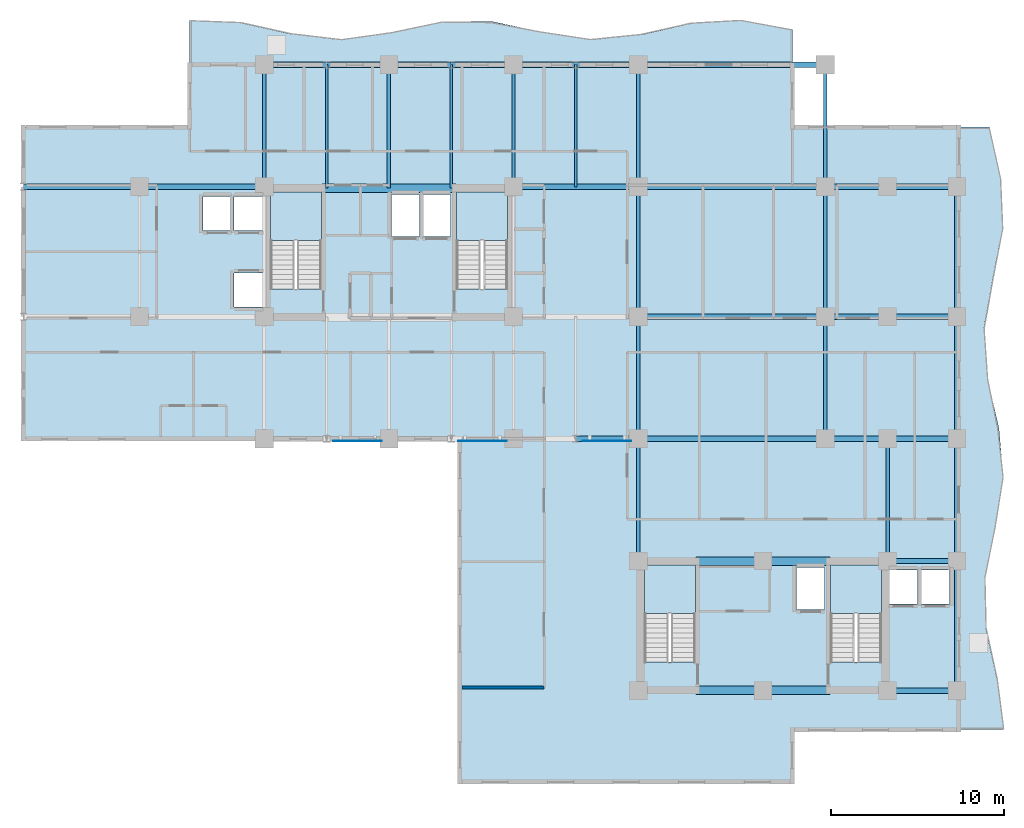
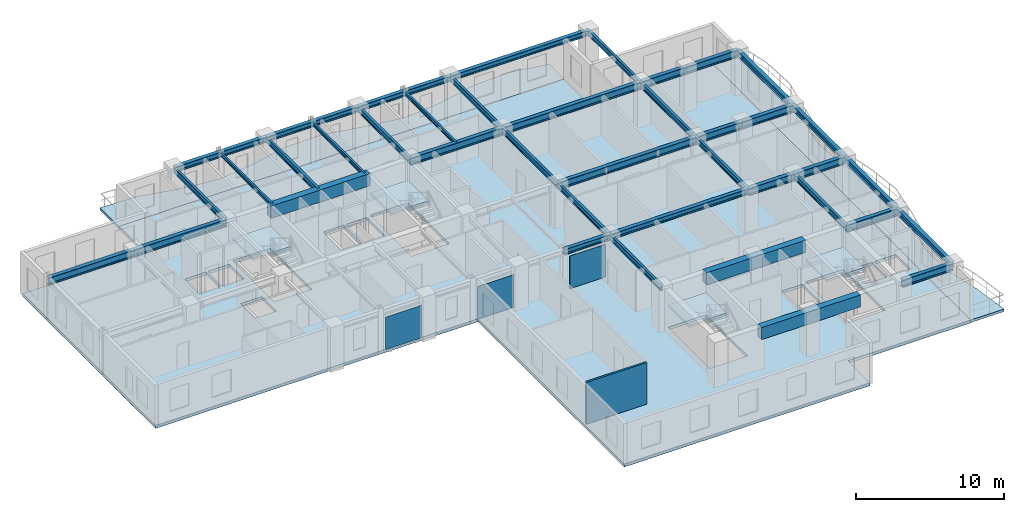
# One storey, part 3 of 13: 43 beams, 7 slabs, 3 plates, 1 wall, 4 elements without a shape of their own.
"""IFC4 building model written with IfcOpenShell, lengths in metres."""

from ifc_helpers import new_model, si_unit, direction, frame, frame_2d, origin, origin_2d, place, context, subcontext, project, spatial, polyline, rectangle, i_section, outline, extrude, source, transform, mapped, material, layer, layer_set, material_profile, profile_set, type_object, element, aggregate, save


model = new_model("IFC4")

# Units and contexts
model_context = context("Model", 3, precision=1e-05, world=origin(), true_north=direction((0.0, 1.0)))
body_context = subcontext(model_context, "Body", "Model", "MODEL_VIEW")
ifc_project = project(units=[si_unit("LENGTHUNIT", "METRE"), si_unit("AREAUNIT", "SQUARE_METRE"), si_unit("VOLUMEUNIT", "CUBIC_METRE"), si_unit("PLANEANGLEUNIT", "RADIAN"), si_unit("MASSUNIT", "GRAM", prefix="KILO")], contexts=[model_context])

# Site, building, storey
site_placement = place(None, origin())
site = spatial("IfcSite", under=ifc_project, at=site_placement, CompositionType="ELEMENT")
building_placement = place(site_placement, origin())
building = spatial("IfcBuilding", under=site, at=building_placement, Name="Kaliganga Portal Commons", CompositionType="ELEMENT")
storey_placement = place(building_placement, frame((0.0, 0.0, 173.5)))
storey = spatial("IfcBuildingStorey", under=building, at=storey_placement, Name="L44", CompositionType="ELEMENT", Elevation=173.5)

# Beams
ifc_material_1 = material(Name="Concrete C50/60", Category="concrete")
ifc_material_profile_1 = material_profile(ifc_material_1, rectangle(XDim=0.5, YDim=1.0, at=origin_2d()), Name="RC 500x1000")
ifc_profile_set_1 = profile_set([ifc_material_profile_1], Name="Concrete C50/60")
beam_type_1 = type_object("IfcBeamType", Name="BM-CPL-1000", PredefinedType="LINTEL", material=ifc_profile_set_1)
shared_shape_1 = source(origin(), body_context, "Body", "SweptSolid", [
    extrude(rectangle(XDim=0.5, YDim=1.0, at=origin_2d()), origin(), (0.0, 0.0, 1.0), 7.739990234375),
])
for number, where, z_axis, x_axis, name in (
    (1, (17.72998046875, 36.074951171875, 2.9599609375), (1.0, 0.0, 0.0), (0.0, 1.0, 0.0), "BM CPL COREA L44 N"),
    (2, (39.330078125, 7.074951171875, 2.9599609375), (1.0, 0.0, 0.0), (0.0, 1.0, 0.0), "BM CPL COREB L44 S"),
    (3, (39.330078125, 14.52490234375, 2.9599609375), (1.0, 0.0, 0.0), (0.0, 1.0, 0.0), "BM CPL COREB L44 N"),
):
    element("IfcBeam", number, at=place(storey_placement, frame(where, z_axis=z_axis, x_axis=x_axis)), inside=storey, type_object=beam_type_1, Name=name, PredefinedType="LINTEL", context=body_context, shape_type="MappedRepresentation", body=[
        mapped(shared_shape_1, transform((0.0, 0.0, 0.0), x_axis=(1.0, 0.0, 0.0), y_axis=(0.0, 1.0, 0.0), z_axis=(0.0, 0.0, 1.0), scale=1.0)),
    ])
ifc_material_2 = material(Name="Structural steel S355J2", Category="steel")
ifc_material_profile_2 = material_profile(ifc_material_2, i_section(OverallWidth=0.300048828125, OverallDepth=0.449951171875, WebThickness=0.013916015625, FlangeThickness=0.02587890625, FilletRadius=0.027099609375, at=origin_2d()), Name="HE 450 B")
ifc_profile_set_2 = profile_set([ifc_material_profile_2], Name="Structural steel S355J2 wide-flange")
beam_type_2 = type_object("IfcBeamType", Name="BM-SPAND-450", PredefinedType="SPANDREL", material=ifc_profile_set_2)
shared_shape_2 = source(origin(), body_context, "Body", "SweptSolid", [
    extrude(i_section(OverallWidth=0.300048828125, OverallDepth=0.449951171875, WebThickness=0.013916015625, FlangeThickness=0.02587890625, FilletRadius=0.027099609375, at=origin_2d()), origin(), (0.0, 0.0, 1.0), 3.60009765625),
])
for number, where, z_axis, x_axis, name in (
    (4, (14.39990234375, 43.199951171875, 3.235107421875), (1.0, 0.0, 0.0), (0.0, 1.0, 0.0), "BM SP L44 AN 1"),
    (5, (18.0, 43.199951171875, 3.235107421875), (1.0, 0.0, 0.0), (0.0, 1.0, 0.0), "BM SP L44 AN 2"),
    (6, (25.199951171875, 43.199951171875, 3.235107421875), (1.0, 0.0, 0.0), (0.0, 1.0, 0.0), "BM SP L44 AN 4"),
    (7, (32.39990234375, 43.199951171875, 3.235107421875), (1.0, 0.0, 0.0), (0.0, 1.0, 0.0), "BM SP L44 AN 6"),
    (8, (32.39990234375, 21.60009765625, 3.235107421875), (1.0, 0.0, 0.0), (0.0, 1.0, 0.0), "BM SP L44 AS 6"),
):
    element("IfcBeam", number, at=place(storey_placement, frame(where, z_axis=z_axis, x_axis=x_axis)), inside=storey, type_object=beam_type_2, Name=name, PredefinedType="SPANDREL", context=body_context, shape_type="MappedRepresentation", body=[
        mapped(shared_shape_2, transform((0.0, 0.0, 0.0), x_axis=(1.0, 0.0, 0.0), y_axis=(0.0, 1.0, 0.0), z_axis=(0.0, 0.0, 1.0), scale=1.0)),
    ])
shared_shape_3 = source(origin(), body_context, "Body", "SweptSolid", [
    extrude(i_section(OverallWidth=0.300048828125, OverallDepth=0.449951171875, WebThickness=0.013916015625, FlangeThickness=0.02587890625, FilletRadius=0.027099609375, at=origin_2d()), origin(), (0.0, 0.0, 1.0), 3.599853515625),
])
for number, where, z_axis, x_axis, name in (
    (9, (21.60009765625, 43.199951171875, 3.235107421875), (1.0, 0.0, 0.0), (0.0, 1.0, 0.0), "BM SP L44 AN 3"),
    (10, (28.800048828125, 43.199951171875, 3.235107421875), (1.0, 0.0, 0.0), (0.0, 1.0, 0.0), "BM SP L44 AN 5"),
):
    element("IfcBeam", number, at=place(storey_placement, frame(where, z_axis=z_axis, x_axis=x_axis)), inside=storey, type_object=beam_type_2, Name=name, PredefinedType="SPANDREL", context=body_context, shape_type="MappedRepresentation", body=[
        mapped(shared_shape_3, transform((0.0, 0.0, 0.0), x_axis=(1.0, 0.0, 0.0), y_axis=(0.0, 1.0, 0.0), z_axis=(0.0, 0.0, 1.0), scale=1.0)),
    ])
shared_shape_4 = source(origin(), body_context, "Body", "SweptSolid", [
    extrude(i_section(OverallWidth=0.300048828125, OverallDepth=0.449951171875, WebThickness=0.013916015625, FlangeThickness=0.02587890625, FilletRadius=0.027099609375, at=origin_2d()), origin(), (0.0, 0.0, 1.0), 10.800048828125),
])
for number, where, z_axis, x_axis, name in (
    (11, (36.0, 43.199951171875, 3.235107421875), (1.0, 0.0, 0.0), (0.0, 1.0, 0.0), "BM SP L44 AN 7"),
    (12, (36.0, 21.60009765625, 3.235107421875), (1.0, 0.0, 0.0), (0.0, 1.0, 0.0), "BM SP L44 AS 7"),
):
    element("IfcBeam", number, at=place(storey_placement, frame(where, z_axis=z_axis, x_axis=x_axis)), inside=storey, type_object=beam_type_2, Name=name, PredefinedType="SPANDREL", context=body_context, shape_type="MappedRepresentation", body=[
        mapped(shared_shape_4, transform((0.0, 0.0, 0.0), x_axis=(1.0, 0.0, 0.0), y_axis=(0.0, 1.0, 0.0), z_axis=(0.0, 0.0, 1.0), scale=1.0)),
    ])
shared_shape_5 = source(origin(), body_context, "Body", "SweptSolid", [
    extrude(i_section(OverallWidth=0.300048828125, OverallDepth=0.449951171875, WebThickness=0.013916015625, FlangeThickness=0.02587890625, FilletRadius=0.027099609375, at=origin_2d()), origin(), (0.0, 0.0, 1.0), 7.5),
])
for number, where, z_axis, x_axis, name in (
    (13, (54.39990234375, 7.050048828125, 3.235107421875), (0.0, 1.0, 0.0), (-1.0, 0.0, 0.0), "BM SP L44 BE 1"),
    (14, (54.39990234375, 28.64990234375, 3.235107421875), (0.0, 1.0, 0.0), (-1.0, 0.0, 0.0), "BM SP L44 BE 4"),
):
    element("IfcBeam", number, at=place(storey_placement, frame(where, z_axis=z_axis, x_axis=x_axis)), inside=storey, type_object=beam_type_2, Name=name, PredefinedType="SPANDREL", context=body_context, shape_type="MappedRepresentation", body=[
        mapped(shared_shape_5, transform((0.0, 0.0, 0.0), x_axis=(1.0, 0.0, 0.0), y_axis=(0.0, 1.0, 0.0), z_axis=(0.0, 0.0, 1.0), scale=1.0)),
    ])
shared_shape_6 = source(origin(), body_context, "Body", "SweptSolid", [
    extrude(i_section(OverallWidth=0.300048828125, OverallDepth=0.449951171875, WebThickness=0.013916015625, FlangeThickness=0.02587890625, FilletRadius=0.027099609375, at=origin_2d()), origin(), (0.0, 0.0, 1.0), 7.050048828125),
])
beam_1_placement = place(storey_placement, frame((54.39990234375, 14.550048828125, 3.235107421875), z_axis=(0.0, 1.0, 0.0), x_axis=(-1.0, 0.0, 0.0)))
element("IfcBeam", 15, at=beam_1_placement, inside=storey, type_object=beam_type_2, Name="BM SP L44 BE 2", PredefinedType="SPANDREL", context=body_context, shape_type="MappedRepresentation", body=[
    mapped(shared_shape_6, transform((0.0, 0.0, 0.0), x_axis=(1.0, 0.0, 0.0), y_axis=(0.0, 1.0, 0.0), z_axis=(0.0, 0.0, 1.0), scale=1.0)),
])
shared_shape_7 = source(origin(), body_context, "Body", "SweptSolid", [
    extrude(i_section(OverallWidth=0.300048828125, OverallDepth=0.449951171875, WebThickness=0.013916015625, FlangeThickness=0.02587890625, FilletRadius=0.027099609375, at=origin_2d()), origin(), (0.0, 0.0, 1.0), 7.0498046875),
])
beam_2_placement = place(storey_placement, frame((54.39990234375, 21.60009765625, 3.235107421875), z_axis=(0.0, 1.0, 0.0), x_axis=(-1.0, 0.0, 0.0)))
element("IfcBeam", 16, at=beam_2_placement, inside=storey, type_object=beam_type_2, Name="BM SP L44 BE 3", PredefinedType="SPANDREL", context=body_context, shape_type="MappedRepresentation", body=[
    mapped(shared_shape_7, transform((0.0, 0.0, 0.0), x_axis=(1.0, 0.0, 0.0), y_axis=(0.0, 1.0, 0.0), z_axis=(0.0, 0.0, 1.0), scale=1.0)),
])
ifc_material_profile_3 = material_profile(ifc_material_2, i_section(OverallWidth=0.300048828125, OverallDepth=0.60009765625, WebThickness=0.015380859375, FlangeThickness=0.030029296875, FilletRadius=0.027099609375, at=origin_2d()), Name="HE 600 B")
ifc_profile_set_3 = profile_set([ifc_material_profile_3], Name="Structural steel S355J2 wide-flange")
beam_type_3 = type_object("IfcBeamType", Name="BM-GIRD-600", PredefinedType="USERDEFINED", material=ifc_profile_set_3)
shared_shape_8 = source(origin(), body_context, "Body", "SweptSolid", [
    extrude(i_section(OverallWidth=0.300048828125, OverallDepth=0.60009765625, WebThickness=0.015380859375, FlangeThickness=0.030029296875, FilletRadius=0.027099609375, at=origin_2d()), origin(), (0.0, 0.0, 1.0), 6.699951171875),
])
beam_3_placement = place(storey_placement, frame((0.5, 36.14990234375, 3.159912109375), z_axis=(1.0, 0.0, 0.0), x_axis=(0.0, 1.0, 0.0)))
element("IfcBeam", 17, at=beam_3_placement, inside=storey, type_object=beam_type_3, Name="BM G L44 WAH_N 1", ObjectType="GIRDER", PredefinedType="USERDEFINED", context=body_context, shape_type="MappedRepresentation", body=[
    mapped(shared_shape_8, transform((0.0, 0.0, 0.0), x_axis=(1.0, 0.0, 0.0), y_axis=(0.0, 1.0, 0.0), z_axis=(0.0, 0.0, 1.0), scale=1.0)),
])
shared_shape_9 = source(origin(), body_context, "Body", "SweptSolid", [
    extrude(i_section(OverallWidth=0.300048828125, OverallDepth=0.60009765625, WebThickness=0.015380859375, FlangeThickness=0.030029296875, FilletRadius=0.027099609375, at=origin_2d()), origin(), (0.0, 0.0, 1.0), 7.199951171875),
])
for number, where, z_axis, x_axis, name in (
    (18, (7.199951171875, 36.14990234375, 3.159912109375), (1.0, 0.0, 0.0), (0.0, 1.0, 0.0), "BM G L44 WAH_N 2"),
    (19, (28.800048828125, 36.14990234375, 3.159912109375), (1.0, 0.0, 0.0), (0.0, 1.0, 0.0), "BM G L44 WAE_N 1"),
):
    element("IfcBeam", number, at=place(storey_placement, frame(where, z_axis=z_axis, x_axis=x_axis)), inside=storey, type_object=beam_type_3, Name=name, ObjectType="GIRDER", PredefinedType="USERDEFINED", context=body_context, shape_type="MappedRepresentation", body=[
        mapped(shared_shape_9, transform((0.0, 0.0, 0.0), x_axis=(1.0, 0.0, 0.0), y_axis=(0.0, 1.0, 0.0), z_axis=(0.0, 0.0, 1.0), scale=1.0)),
    ])
shared_shape_10 = source(origin(), body_context, "Body", "SweptSolid", [
    extrude(i_section(OverallWidth=0.300048828125, OverallDepth=0.60009765625, WebThickness=0.015380859375, FlangeThickness=0.030029296875, FilletRadius=0.027099609375, at=origin_2d()), origin(), (0.0, 0.0, 1.0), 10.800048828125),
])
for number, where, z_axis, x_axis, name in (
    (20, (36.0, 28.64990234375, 3.159912109375), (1.0, 0.0, 0.0), (0.0, 1.0, 0.0), "BM G L44 WAE_S 2"),
    (21, (36.0, 36.14990234375, 3.159912109375), (1.0, 0.0, 0.0), (0.0, 1.0, 0.0), "BM G L44 WAE_N 2"),
):
    element("IfcBeam", number, at=place(storey_placement, frame(where, z_axis=z_axis, x_axis=x_axis)), inside=storey, type_object=beam_type_3, Name=name, ObjectType="GIRDER", PredefinedType="USERDEFINED", context=body_context, shape_type="MappedRepresentation", body=[
        mapped(shared_shape_10, transform((0.0, 0.0, 0.0), x_axis=(1.0, 0.0, 0.0), y_axis=(0.0, 1.0, 0.0), z_axis=(0.0, 0.0, 1.0), scale=1.0)),
    ])
shared_shape_11 = source(origin(), body_context, "Body", "SweptSolid", [
    extrude(i_section(OverallWidth=0.300048828125, OverallDepth=0.60009765625, WebThickness=0.015380859375, FlangeThickness=0.030029296875, FilletRadius=0.027099609375, at=origin_2d()), origin(), (0.0, 0.0, 1.0), 4.0),
])
for number, where, z_axis, x_axis, name in (
    (22, (50.39990234375, 7.050048828125, 3.159912109375), (1.0, 0.0, 0.0), (0.0, 1.0, 0.0), "BM G L44 BKE70 1"),
    (23, (50.39990234375, 14.550048828125, 3.159912109375), (1.0, 0.0, 0.0), (0.0, 1.0, 0.0), "BM G L44 BKE146 1"),
    (24, (50.39990234375, 21.60009765625, 3.159912109375), (1.0, 0.0, 0.0), (0.0, 1.0, 0.0), "BM G L44 BKE216 2"),
    (25, (50.39990234375, 28.64990234375, 3.159912109375), (1.0, 0.0, 0.0), (0.0, 1.0, 0.0), "BM G L44 BKE286 2"),
    (26, (50.39990234375, 36.14990234375, 3.159912109375), (1.0, 0.0, 0.0), (0.0, 1.0, 0.0), "BM G L44 BKE362 2"),
):
    element("IfcBeam", number, at=place(storey_placement, frame(where, z_axis=z_axis, x_axis=x_axis)), inside=storey, type_object=beam_type_3, Name=name, ObjectType="GIRDER", PredefinedType="USERDEFINED", context=body_context, shape_type="MappedRepresentation", body=[
        mapped(shared_shape_11, transform((0.0, 0.0, 0.0), x_axis=(1.0, 0.0, 0.0), y_axis=(0.0, 1.0, 0.0), z_axis=(0.0, 0.0, 1.0), scale=1.0)),
    ])
shared_shape_12 = source(origin(), body_context, "Body", "SweptSolid", [
    extrude(i_section(OverallWidth=0.300048828125, OverallDepth=0.60009765625, WebThickness=0.015380859375, FlangeThickness=0.030029296875, FilletRadius=0.027099609375, at=origin_2d()), origin(), (0.0, 0.0, 1.0), 3.599853515625),
])
for number, where, z_axis, x_axis, name in (
    (27, (46.800048828125, 21.60009765625, 3.159912109375), (1.0, 0.0, 0.0), (0.0, 1.0, 0.0), "BM G L44 BKE216 1"),
    (28, (46.800048828125, 28.64990234375, 3.159912109375), (1.0, 0.0, 0.0), (0.0, 1.0, 0.0), "BM G L44 BKE286 1"),
    (29, (46.800048828125, 36.14990234375, 3.159912109375), (1.0, 0.0, 0.0), (0.0, 1.0, 0.0), "BM G L44 BKE362 1"),
):
    element("IfcBeam", number, at=place(storey_placement, frame(where, z_axis=z_axis, x_axis=x_axis)), inside=storey, type_object=beam_type_3, Name=name, ObjectType="GIRDER", PredefinedType="USERDEFINED", context=body_context, shape_type="MappedRepresentation", body=[
        mapped(shared_shape_12, transform((0.0, 0.0, 0.0), x_axis=(1.0, 0.0, 0.0), y_axis=(0.0, 1.0, 0.0), z_axis=(0.0, 0.0, 1.0), scale=1.0)),
    ])
ifc_material_profile_4 = material_profile(ifc_material_2, i_section(OverallWidth=0.18994140625, OverallDepth=0.449951171875, WebThickness=0.009521484375, FlangeThickness=0.0146484375, FilletRadius=0.02099609375, at=origin_2d()), Name="IPE 450")
ifc_profile_set_4 = profile_set([ifc_material_profile_4], Name="Structural steel S355J2 wide-flange")
beam_type_4 = type_object("IfcBeamType", Name="BM-FLR-450", PredefinedType="BEAM", material=ifc_profile_set_4)
shared_shape_13 = source(origin(), body_context, "Body", "SweptSolid", [
    extrude(i_section(OverallWidth=0.18994140625, OverallDepth=0.449951171875, WebThickness=0.009521484375, FlangeThickness=0.0146484375, FilletRadius=0.02099609375, at=origin_2d()), origin(), (0.0, 0.0, 1.0), 7.5),
])
for number, where, z_axis, x_axis, name in (
    (30, (36.0, 28.64990234375, 3.235107421875), (0.0, 1.0, 0.0), (-1.0, 0.0, 0.0), "BM G L44 AM360"),
    (31, (46.800048828125, 28.64990234375, 3.235107421875), (0.0, 1.0, 0.0), (-1.0, 0.0, 0.0), "BM G L44 AM468"),
):
    element("IfcBeam", number, at=place(storey_placement, frame(where, z_axis=z_axis, x_axis=x_axis)), inside=storey, type_object=beam_type_4, Name=name, PredefinedType="BEAM", context=body_context, shape_type="MappedRepresentation", body=[
        mapped(shared_shape_13, transform((0.0, 0.0, 0.0), x_axis=(1.0, 0.0, 0.0), y_axis=(0.0, 1.0, 0.0), z_axis=(0.0, 0.0, 1.0), scale=1.0)),
    ])
shared_shape_14 = source(origin(), body_context, "Body", "SweptSolid", [
    extrude(i_section(OverallWidth=0.18994140625, OverallDepth=0.449951171875, WebThickness=0.009521484375, FlangeThickness=0.0146484375, FilletRadius=0.02099609375, at=origin_2d()), origin(), (0.0, 0.0, 1.0), 7.050048828125),
])
for number, where, z_axis, x_axis, name in (
    (32, (14.39990234375, 36.14990234375, 3.235107421875), (0.0, 1.0, 0.0), (-1.0, 0.0, 0.0), "BM G L44 AN144"),
    (33, (28.800048828125, 36.14990234375, 3.235107421875), (0.0, 1.0, 0.0), (-1.0, 0.0, 0.0), "BM G L44 AN288"),
    (34, (36.0, 36.14990234375, 3.235107421875), (0.0, 1.0, 0.0), (-1.0, 0.0, 0.0), "BM G L44 AN360"),
    (35, (46.800048828125, 36.14990234375, 3.235107421875), (0.0, 1.0, 0.0), (-1.0, 0.0, 0.0), "BM G L44 AN468"),
    (36, (36.0, 14.550048828125, 3.235107421875), (0.0, 1.0, 0.0), (-1.0, 0.0, 0.0), "BM G L44 BNK360"),
    (37, (50.39990234375, 14.550048828125, 3.235107421875), (0.0, 1.0, 0.0), (-1.0, 0.0, 0.0), "BM G L44 BNK504"),
):
    element("IfcBeam", number, at=place(storey_placement, frame(where, z_axis=z_axis, x_axis=x_axis)), inside=storey, type_object=beam_type_4, Name=name, PredefinedType="BEAM", context=body_context, shape_type="MappedRepresentation", body=[
        mapped(shared_shape_14, transform((0.0, 0.0, 0.0), x_axis=(1.0, 0.0, 0.0), y_axis=(0.0, 1.0, 0.0), z_axis=(0.0, 0.0, 1.0), scale=1.0)),
    ])
shared_shape_15 = source(origin(), body_context, "Body", "SweptSolid", [
    extrude(i_section(OverallWidth=0.18994140625, OverallDepth=0.449951171875, WebThickness=0.009521484375, FlangeThickness=0.0146484375, FilletRadius=0.02099609375, at=origin_2d()), origin(), (0.0, 0.0, 1.0), 7.0498046875),
])
for number, where, z_axis, x_axis, name in (
    (38, (36.0, 21.60009765625, 3.235107421875), (0.0, 1.0, 0.0), (-1.0, 0.0, 0.0), "BM G L44 AS360"),
    (39, (46.800048828125, 21.60009765625, 3.235107421875), (0.0, 1.0, 0.0), (-1.0, 0.0, 0.0), "BM G L44 AS468"),
):
    element("IfcBeam", number, at=place(storey_placement, frame(where, z_axis=z_axis, x_axis=x_axis)), inside=storey, type_object=beam_type_4, Name=name, PredefinedType="BEAM", context=body_context, shape_type="MappedRepresentation", body=[
        mapped(shared_shape_15, transform((0.0, 0.0, 0.0), x_axis=(1.0, 0.0, 0.0), y_axis=(0.0, 1.0, 0.0), z_axis=(0.0, 0.0, 1.0), scale=1.0)),
    ])
ifc_material_profile_5 = material_profile(ifc_material_2, i_section(OverallWidth=0.14990234375, OverallDepth=0.300048828125, WebThickness=0.007080078125, FlangeThickness=0.0107421875, FilletRadius=0.014892578125, at=origin_2d()), Name="IPE 300")
ifc_profile_set_5 = profile_set([ifc_material_profile_5], Name="Structural steel S355J2 wide-flange")
beam_type_5 = type_object("IfcBeamType", Name="BM-JST-300", PredefinedType="JOIST", material=ifc_profile_set_5)
shared_shape_16 = source(origin(), body_context, "Body", "SweptSolid", [
    extrude(i_section(OverallWidth=0.14990234375, OverallDepth=0.300048828125, WebThickness=0.007080078125, FlangeThickness=0.0107421875, FilletRadius=0.014892578125, at=origin_2d()), origin(), (0.0, 0.0, 1.0), 7.125),
])
for number, where, z_axis, x_axis, name in (
    (40, (18.0, 36.074951171875, 3.31005859375), (0.0, 1.0, 0.0), (-1.0, 0.0, 0.0), "BM G L44 AN180"),
    (41, (25.199951171875, 36.074951171875, 3.31005859375), (0.0, 1.0, 0.0), (-1.0, 0.0, 0.0), "BM G L44 AN252"),
):
    element("IfcBeam", number, at=place(storey_placement, frame(where, z_axis=z_axis, x_axis=x_axis)), inside=storey, type_object=beam_type_5, Name=name, PredefinedType="JOIST", context=body_context, shape_type="MappedRepresentation", body=[
        mapped(shared_shape_16, transform((0.0, 0.0, 0.0), x_axis=(1.0, 0.0, 0.0), y_axis=(0.0, 1.0, 0.0), z_axis=(0.0, 0.0, 1.0), scale=1.0)),
    ])
shared_shape_17 = source(origin(), body_context, "Body", "SweptSolid", [
    extrude(i_section(OverallWidth=0.18994140625, OverallDepth=0.449951171875, WebThickness=0.009521484375, FlangeThickness=0.0146484375, FilletRadius=0.02099609375, at=origin_2d()), origin(), (0.0, 0.0, 1.0), 7.125),
])
beam_4_placement = place(storey_placement, frame((21.60009765625, 36.074951171875, 3.235107421875), z_axis=(0.0, 1.0, 0.0), x_axis=(-1.0, 0.0, 0.0)))
element("IfcBeam", 42, at=beam_4_placement, inside=storey, type_object=beam_type_4, Name="BM G L44 AN216", PredefinedType="BEAM", context=body_context, shape_type="MappedRepresentation", body=[
    mapped(shared_shape_17, transform((0.0, 0.0, 0.0), x_axis=(1.0, 0.0, 0.0), y_axis=(0.0, 1.0, 0.0), z_axis=(0.0, 0.0, 1.0), scale=1.0)),
])
shared_shape_18 = source(origin(), body_context, "Body", "SweptSolid", [
    extrude(i_section(OverallWidth=0.14990234375, OverallDepth=0.300048828125, WebThickness=0.007080078125, FlangeThickness=0.0107421875, FilletRadius=0.014892578125, at=origin_2d()), origin(), (0.0, 0.0, 1.0), 7.050048828125),
])
beam_5_placement = place(storey_placement, frame((32.39990234375, 36.14990234375, 3.31005859375), z_axis=(0.0, 1.0, 0.0), x_axis=(-1.0, 0.0, 0.0)))
element("IfcBeam", 43, at=beam_5_placement, inside=storey, type_object=beam_type_5, Name="BM G L44 AN324", PredefinedType="JOIST", context=body_context, shape_type="MappedRepresentation", body=[
    mapped(shared_shape_18, transform((0.0, 0.0, 0.0), x_axis=(1.0, 0.0, 0.0), y_axis=(0.0, 1.0, 0.0), z_axis=(0.0, 0.0, 1.0), scale=1.0)),
])

# Slabs
ifc_material_3 = material(Name="Concrete C40/50", Category="concrete")
ifc_layer_1 = layer(ifc_material_3, 0.2099609375)
ifc_layer_set_1 = layer_set([ifc_layer_1], Name="Concrete C40/50")
slab_type_1 = type_object("IfcSlabType", Name="SLB-BALC-210", PredefinedType="FLOOR", material=ifc_layer_set_1)
slab_1_placement = place(storey_placement, frame((0.0, 0.0, -0.2099609375)))
element("IfcSlab", 44, at=slab_1_placement, inside=storey, type_object=slab_type_1, Name="Scalloped Tree-Planter Balcony Slab L44 balc_north", PredefinedType="FLOOR", context=body_context, shape_type="SweptSolid", body=[
    extrude(outline(polyline([(44.89990234375, 43.199951171875), (44.89990234375, 45.221435546875), (42.0, 45.763671875), (39.10009765625, 45.599609375), (36.199951171875, 44.942626953125), (33.300048828125, 44.649169921875), (30.39990234375, 45.101318359375), (27.5, 45.7099609375), (24.60009765625, 45.682373046875), (21.699951171875, 45.05419921875), (18.800048828125, 44.64404296875), (15.89990234375, 44.986083984375), (13.0, 45.634765625), (10.10009765625, 45.744873046875), (10.10009765625, 43.199951171875), (44.89990234375, 43.199951171875)])), origin(), (0.0, 0.0, 1.0), 0.2099609375),
])
slab_2_placement = place(storey_placement, frame((0.0, 0.0, -0.2099609375)))
element("IfcSlab", 45, at=slab_2_placement, inside=storey, type_object=slab_type_1, Name="Scalloped Tree-Planter Balcony Slab L44 balc_east", PredefinedType="FLOOR", context=body_context, shape_type="SweptSolid", body=[
    extrude(outline(polyline([(54.5, 4.800048828125), (57.10009765625, 4.800048828125), (56.72314453125, 7.699951171875), (56.08349609375, 10.60009765625), (56.014404296875, 13.5), (56.60595703125, 16.39990234375), (57.08740234375, 19.300048828125), (56.83154296875, 22.199951171875), (56.171630859375, 25.10009765625), (55.967529296875, 28.0), (56.485107421875, 30.89990234375), (57.050048828125, 33.800048828125), (56.92626953125, 36.699951171875), (56.275146484375, 39.60009765625), (54.5, 39.60009765625), (54.5, 4.800048828125)])), origin(), (0.0, 0.0, 1.0), 0.2099609375),
])

# Stair, slab
stair_type = type_object("IfcStairType", Name="ST-CORE-DOGLEG", PredefinedType="HALF_TURN_STAIR", material=ifc_material_3)
stair_1_placement = place(storey_placement, origin())
stair_1 = element("IfcStair", 46, at=stair_1_placement, inside=storey, type_object=stair_type, Name="L44 Protected Exit Stair ST-A1", PredefinedType="HALF_TURN_STAIR")
ifc_layer_2 = layer(ifc_material_3, 0.199951171875)
ifc_layer_set_2 = layer_set([ifc_layer_2], Name="Concrete C40/50")
slab_type_2 = type_object("IfcSlabType", Name="SLB-STAIR-LND", PredefinedType="LANDING", material=ifc_layer_set_2)
slab_3_placement = place(storey_placement, frame((0.0, 0.0, 1.64990234375)))
slab_3 = element("IfcSlab", 47, at=slab_3_placement, type_object=slab_type_2, Name="ST-A1 landing 1", PredefinedType="LANDING", context=body_context, shape_type="SweptSolid", body=[
    extrude(outline(polyline([(17.699951171875, 33.050048828125), (17.699951171875, 35.85009765625), (14.75, 35.85009765625), (14.75, 33.050048828125), (17.699951171875, 33.050048828125)])), origin(), (0.0, 0.0, 1.0), 0.2001953125),
])
aggregate(stair_1, [slab_3])

stair_2_placement = place(storey_placement, origin())
stair_2 = element("IfcStair", 48, at=stair_2_placement, inside=storey, type_object=stair_type, Name="L44 Protected Exit Stair ST-A2", PredefinedType="HALF_TURN_STAIR")
slab_4_placement = place(storey_placement, frame((0.0, 0.0, 1.64990234375)))
slab_4 = element("IfcSlab", 49, at=slab_4_placement, type_object=slab_type_2, Name="ST-A2 landing 1", PredefinedType="LANDING", context=body_context, shape_type="SweptSolid", body=[
    extrude(outline(polyline([(28.449951171875, 33.050048828125), (28.449951171875, 35.85009765625), (25.5, 35.85009765625), (25.5, 33.050048828125), (28.449951171875, 33.050048828125)])), origin(), (0.0, 0.0, 1.0), 0.2001953125),
])
aggregate(stair_2, [slab_4])

stair_3_placement = place(storey_placement, origin())
stair_3 = element("IfcStair", 50, at=stair_3_placement, inside=storey, type_object=stair_type, Name="L44 Protected Exit Stair ST-B1", PredefinedType="HALF_TURN_STAIR")
slab_5_placement = place(storey_placement, frame((0.0, 0.0, 1.64990234375)))
slab_5 = element("IfcSlab", 51, at=slab_5_placement, type_object=slab_type_2, Name="ST-B1 landing 1", PredefinedType="LANDING", context=body_context, shape_type="SweptSolid", body=[
    extrude(outline(polyline([(39.300048828125, 11.5), (39.300048828125, 14.300048828125), (36.35009765625, 14.300048828125), (36.35009765625, 11.5), (39.300048828125, 11.5)])), origin(), (0.0, 0.0, 1.0), 0.2001953125),
])
aggregate(stair_3, [slab_5])

stair_4_placement = place(storey_placement, origin())
stair_4 = element("IfcStair", 52, at=stair_4_placement, inside=storey, type_object=stair_type, Name="L44 Protected Exit Stair ST-B2", PredefinedType="HALF_TURN_STAIR")
slab_6_placement = place(storey_placement, frame((0.0, 0.0, 1.64990234375)))
slab_6 = element("IfcSlab", 53, at=slab_6_placement, type_object=slab_type_2, Name="ST-B2 landing 1", PredefinedType="LANDING", context=body_context, shape_type="SweptSolid", body=[
    extrude(outline(polyline([(50.050048828125, 11.5), (50.050048828125, 14.300048828125), (47.10009765625, 14.300048828125), (47.10009765625, 11.5), (50.050048828125, 11.5)])), origin(), (0.0, 0.0, 1.0), 0.2001953125),
])
aggregate(stair_4, [slab_6])

# Slab
ifc_layer_3 = layer(ifc_material_3, 0.239990234375)
ifc_layer_set_3 = layer_set([ifc_layer_3], Name="Concrete C40/50")
slab_type_3 = type_object("IfcSlabType", Name="SLB-TWR-240", PredefinedType="FLOOR", material=ifc_layer_set_3)
slab_7_placement = place(storey_placement, frame((0.0, 0.0, -0.239990234375)))
element("IfcSlab", 54, at=slab_7_placement, inside=storey, type_object=slab_type_3, Name="Structural Floor Slab L44", PredefinedType="FLOOR", context=body_context, shape_type="SweptSolid", body=[
    extrude(outline(polyline([(25.699951171875, 1.800048828125), (44.89990234375, 1.800048828125), (44.89990234375, 4.800048828125), (54.5, 4.800048828125), (54.5, 39.60009765625), (44.89990234375, 39.60009765625), (44.89990234375, 43.199951171875), (10.10009765625, 43.199951171875), (10.10009765625, 39.60009765625), (0.5, 39.60009765625), (0.5, 21.60009765625), (25.699951171875, 21.60009765625), (25.699951171875, 1.800048828125)]), holes=[polyline([(14.75, 30.25390625), (14.75, 35.85009765625), (17.699951171875, 35.85009765625), (17.699951171875, 30.25390625), (14.75, 30.25390625)]), polyline([(25.5, 30.25390625), (25.5, 35.85009765625), (28.449951171875, 35.85009765625), (28.449951171875, 30.25390625), (25.5, 30.25390625)]), polyline([(36.35009765625, 8.7041015625), (36.35009765625, 14.300048828125), (39.300048828125, 14.300048828125), (39.300048828125, 8.7041015625), (36.35009765625, 8.7041015625)]), polyline([(47.10009765625, 8.7041015625), (47.10009765625, 14.300048828125), (50.050048828125, 14.300048828125), (50.050048828125, 8.7041015625), (47.10009765625, 8.7041015625)]), polyline([(12.6650390625, 33.614990234375), (12.6650390625, 35.5849609375), (14.3349609375, 35.5849609375), (14.3349609375, 33.614990234375), (12.6650390625, 33.614990234375)]), polyline([(12.6650390625, 29.215087890625), (12.6650390625, 31.18505859375), (14.3349609375, 31.18505859375), (14.3349609375, 29.215087890625), (12.6650390625, 29.215087890625)]), polyline([(10.864990234375, 33.614990234375), (10.864990234375, 35.5849609375), (12.534912109375, 35.5849609375), (12.534912109375, 33.614990234375), (10.864990234375, 33.614990234375)]), polyline([(21.739990234375, 33.2900390625), (21.739990234375, 35.7099609375), (23.360107421875, 35.7099609375), (23.360107421875, 33.2900390625), (21.739990234375, 33.2900390625)]), polyline([(23.5400390625, 33.2900390625), (23.5400390625, 35.7099609375), (25.159912109375, 35.7099609375), (25.159912109375, 33.2900390625), (23.5400390625, 33.2900390625)]), polyline([(50.465087890625, 12.06494140625), (50.465087890625, 14.034912109375), (52.135009765625, 14.034912109375), (52.135009765625, 12.06494140625), (50.465087890625, 12.06494140625)]), polyline([(52.31494140625, 12.06494140625), (52.31494140625, 14.034912109375), (53.985107421875, 14.034912109375), (53.985107421875, 12.06494140625), (52.31494140625, 12.06494140625)]), polyline([(45.139892578125, 11.739990234375), (45.139892578125, 14.159912109375), (46.760009765625, 14.159912109375), (46.760009765625, 11.739990234375), (45.139892578125, 11.739990234375)])]), origin(), (0.0, 0.0, 1.0), 0.239990234375),
])

# Plates
ifc_material_4 = material(Name="Perforated Bronze-Anodized Aluminium Solar Screen", Category="aluminium")
ifc_layer_4 = layer(ifc_material_4, 0.01806640625)
ifc_layer_set_4 = layer_set([ifc_layer_4], Name="Perforated Bronze-Anodized Aluminium Solar Screen")
plate_type = type_object("IfcPlateType", Name="PLT-SCR-18", PredefinedType="USERDEFINED", material=ifc_layer_set_4)
shared_shape_19 = source(origin(), body_context, "Body", "SweptSolid", [
    extrude(rectangle(XDim=2.800048828125, YDim=0.01806640625, at=origin_2d()), origin(), (0.0, 0.0, 1.0), 2.68994140625),
])
for number, where, z_axis, x_axis, name in (
    (55, (19.800048828125, 21.47998046875, 0.080078125), (0.0, 0.0, 1.0), (1.0, 0.0, 0.0), "Perforated Solar Screen L44-S1"),
    (56, (27.0, 21.47998046875, 0.080078125), (0.0, 0.0, 1.0), (1.0, 0.0, 0.0), "Perforated Solar Screen L44-S2"),
    (57, (34.199951171875, 21.47998046875, 0.080078125), (0.0, 0.0, 1.0), (1.0, 0.0, 0.0), "Perforated Solar Screen L44-S3"),
):
    element("IfcPlate", number, at=place(storey_placement, frame(where, z_axis=z_axis, x_axis=x_axis)), inside=storey, type_object=plate_type, Name=name, ObjectType="SOLAR SCREEN", PredefinedType="USERDEFINED", context=body_context, shape_type="MappedRepresentation", body=[
        mapped(shared_shape_19, transform((0.0, 0.0, 0.0), x_axis=(1.0, 0.0, 0.0), y_axis=(0.0, 1.0, 0.0), z_axis=(0.0, 0.0, 1.0), scale=1.0)),
    ])

# Wall
ifc_material_5 = material(Name="Fire-Rated Gypsum Board on Steel Stud", Category="steel")
ifc_layer_5 = layer(ifc_material_5, 0.14990234375)
ifc_layer_set_5 = layer_set([ifc_layer_5], Name="Fire-Rated Gypsum Board on Steel Stud")
wall_type = type_object("IfcWallType", Name="WL-PART-CORR-150", PredefinedType="PARTITIONING", material=ifc_layer_set_5)
wall_placement = place(storey_placement, frame((25.83203125, 7.239990234375, 0.0), z_axis=(0.0, 0.0, 1.0), x_axis=(1.0, 0.0, 0.0)))
element("IfcWall", 58, at=wall_placement, inside=storey, type_object=wall_type, Name="Interior Partition L44-021", PredefinedType="PARTITIONING", context=body_context, shape_type="SweptSolid", body=[
    extrude(rectangle(XDim=4.72802734375, YDim=0.14990234375, at=frame_2d((2.364013671875, 0.0))), origin(), (0.0, 0.0, 1.0), 3.43994140625),
])

save(model, "model.ifc")
